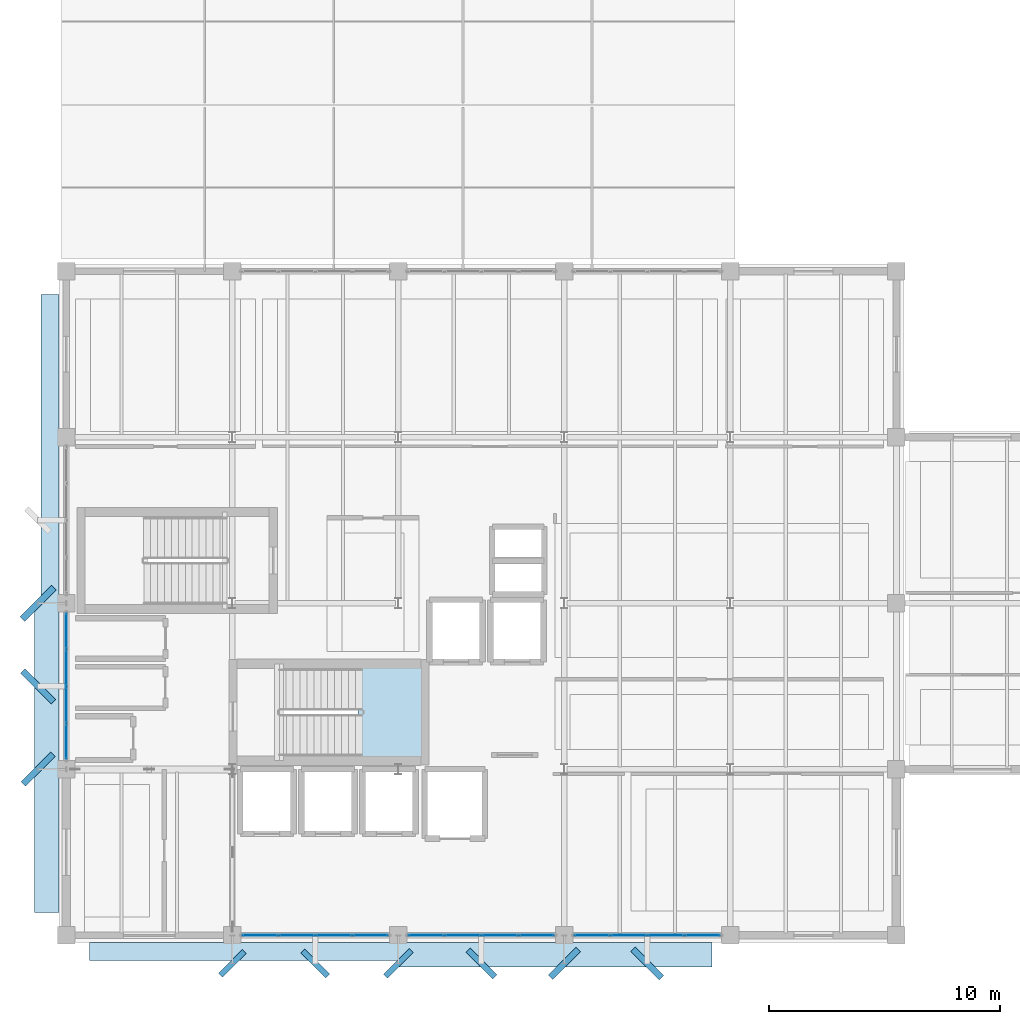
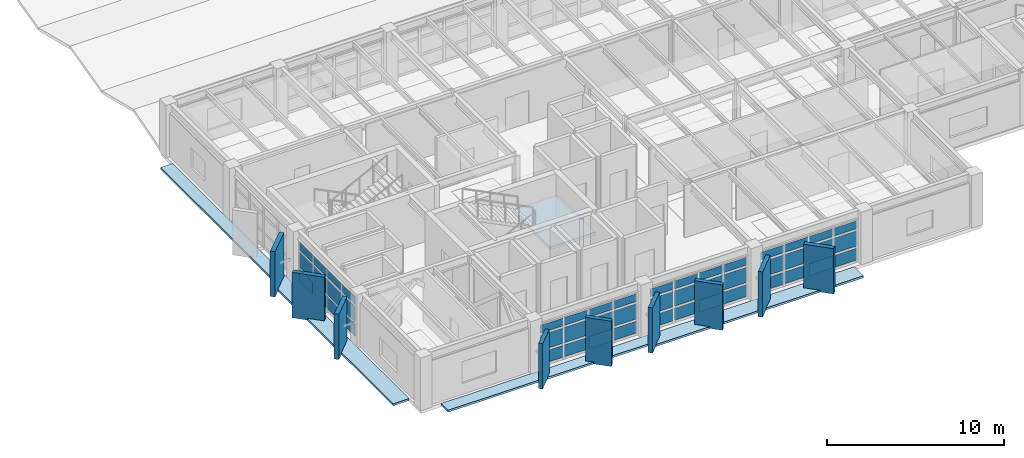
# One storey, part 26 of 48: 57 plates, 3 slabs, 5 elements without a shape of their own.
"""IFC4 building model written with IfcOpenShell, lengths in metres."""

from ifc_helpers import new_model, si_unit, direction, frame, origin, origin_2d, place, context, subcontext, project, spatial, polyline, rectangle, outline, extrude, material, layer, layer_set, type_object, element, aggregate, save


model = new_model("IFC4")

# Units and contexts
model_context = context("Model", 3, precision=1e-05, world=origin(), true_north=direction((0.0, 1.0)))
body_context = subcontext(model_context, "Body", "Model", "MODEL_VIEW")
ifc_project = project(units=[si_unit("LENGTHUNIT", "METRE"), si_unit("AREAUNIT", "SQUARE_METRE"), si_unit("VOLUMEUNIT", "CUBIC_METRE"), si_unit("PLANEANGLEUNIT", "RADIAN"), si_unit("MASSUNIT", "GRAM", prefix="KILO")], contexts=[model_context])

# Site, building, storey
site_placement = place(None, origin())
site = spatial("IfcSite", under=ifc_project, at=site_placement, CompositionType="ELEMENT")
building_placement = place(site_placement, origin())
building = spatial("IfcBuilding", under=site, at=building_placement, Name="Kandorven Conservatory and Botanical Research Centre", CompositionType="ELEMENT")
storey_placement = place(building_placement, frame((0.0, 0.0, 13.199951171875)))
storey = spatial("IfcBuildingStorey", under=building, at=storey_placement, Name="L03", CompositionType="ELEMENT", Elevation=13.199951171875)

# Curtain wall, plates
ifc_material_1 = material(Name="Bronze anodised thermally broken aluminium", Category="aluminium")
ifc_layer_1 = layer(ifc_material_1, 0.179931640625)
ifc_layer_set_1 = layer_set([ifc_layer_1], Name="Bronze anodised thermally broken aluminium")
curtain_wall_type = type_object("IfcCurtainWallType", Name="CW_Unitised", PredefinedType="USERDEFINED", material=ifc_layer_set_1)
curtain_wall_1_placement = place(storey_placement, origin())
curtain_wall_1 = element("IfcCurtainWall", 1, at=curtain_wall_1_placement, inside=storey, type_object=curtain_wall_type, Name="Tower laboratory curtain wall CW-TWR-S-L03-2", ObjectType="UNITISED GLAZING", PredefinedType="USERDEFINED")
ifc_material_2 = material(Name="Double-glazed solar-control low-E glass", Category="glass")
ifc_layer_2 = layer(ifc_material_2, 0.028076171875)
ifc_layer_set_2 = layer_set([ifc_layer_2], Name="Double-glazed solar-control low-E glass")
plate_type_1 = type_object("IfcPlateType", Name="CW_Panel", PredefinedType="CURTAIN_PANEL", material=ifc_layer_set_2)
plate_1_placement = place(storey_placement, frame((14.4013671875, 6.0, 0.14990234375), z_axis=(0.0, 0.0, 1.0), x_axis=(1.0, 0.0, 0.0)))
plate_1 = element("IfcPlate", 2, at=plate_1_placement, type_object=plate_type_1, Name="CW-01 panel 1.1", PredefinedType="CURTAIN_PANEL", context=body_context, shape_type="SweptSolid", body=[
    extrude(rectangle(XDim=1.492431640625, YDim=0.028076171875, at=origin_2d()), origin(), (0.0, 0.0, 1.0), 0.824951171875),
])
plate_2_placement = place(storey_placement, frame((14.4013671875, 6.0, 1.125), z_axis=(0.0, 0.0, 1.0), x_axis=(1.0, 0.0, 0.0)))
plate_2 = element("IfcPlate", 3, at=plate_2_placement, type_object=plate_type_1, Name="CW-01 panel 1.2", PredefinedType="CURTAIN_PANEL", context=body_context, shape_type="SweptSolid", body=[
    extrude(rectangle(XDim=1.492431640625, YDim=0.028076171875, at=origin_2d()), origin(), (0.0, 0.0, 1.0), 1.050048828125),
])
plate_3_placement = place(storey_placement, frame((14.4013671875, 6.0, 2.324951171875), z_axis=(0.0, 0.0, 1.0), x_axis=(1.0, 0.0, 0.0)))
plate_3 = element("IfcPlate", 4, at=plate_3_placement, type_object=plate_type_1, Name="CW-01 panel 1.3", PredefinedType="CURTAIN_PANEL", context=body_context, shape_type="SweptSolid", body=[
    extrude(rectangle(XDim=1.492431640625, YDim=0.028076171875, at=origin_2d()), origin(), (0.0, 0.0, 1.0), 0.5400390625),
])
plate_4_placement = place(storey_placement, frame((15.99365234375, 6.0, 0.14990234375), z_axis=(0.0, 0.0, 1.0), x_axis=(1.0, 0.0, 0.0)))
plate_4 = element("IfcPlate", 5, at=plate_4_placement, type_object=plate_type_1, Name="CW-01 panel 2.1", PredefinedType="CURTAIN_PANEL", context=body_context, shape_type="SweptSolid", body=[
    extrude(rectangle(XDim=1.532470703125, YDim=0.028076171875, at=origin_2d()), origin(), (0.0, 0.0, 1.0), 0.824951171875),
])
plate_5_placement = place(storey_placement, frame((15.99365234375, 6.0, 1.125), z_axis=(0.0, 0.0, 1.0), x_axis=(1.0, 0.0, 0.0)))
plate_5 = element("IfcPlate", 6, at=plate_5_placement, type_object=plate_type_1, Name="CW-01 panel 2.2", PredefinedType="CURTAIN_PANEL", context=body_context, shape_type="SweptSolid", body=[
    extrude(rectangle(XDim=1.532470703125, YDim=0.028076171875, at=origin_2d()), origin(), (0.0, 0.0, 1.0), 1.050048828125),
])
plate_6_placement = place(storey_placement, frame((15.99365234375, 6.0, 2.324951171875), z_axis=(0.0, 0.0, 1.0), x_axis=(1.0, 0.0, 0.0)))
plate_6 = element("IfcPlate", 7, at=plate_6_placement, type_object=plate_type_1, Name="CW-01 panel 2.3", PredefinedType="CURTAIN_PANEL", context=body_context, shape_type="SweptSolid", body=[
    extrude(rectangle(XDim=1.532470703125, YDim=0.028076171875, at=origin_2d()), origin(), (0.0, 0.0, 1.0), 0.5400390625),
])
plate_7_placement = place(storey_placement, frame((17.606201171875, 6.0, 0.14990234375), z_axis=(0.0, 0.0, 1.0), x_axis=(1.0, 0.0, 0.0)))
plate_7 = element("IfcPlate", 8, at=plate_7_placement, type_object=plate_type_1, Name="CW-01 panel 3.1", PredefinedType="CURTAIN_PANEL", context=body_context, shape_type="SweptSolid", body=[
    extrude(rectangle(XDim=1.532470703125, YDim=0.028076171875, at=origin_2d()), origin(), (0.0, 0.0, 1.0), 0.824951171875),
])
plate_8_placement = place(storey_placement, frame((17.606201171875, 6.0, 1.125), z_axis=(0.0, 0.0, 1.0), x_axis=(1.0, 0.0, 0.0)))
plate_8 = element("IfcPlate", 9, at=plate_8_placement, type_object=plate_type_1, Name="CW-01 panel 3.2", PredefinedType="CURTAIN_PANEL", context=body_context, shape_type="SweptSolid", body=[
    extrude(rectangle(XDim=1.532470703125, YDim=0.028076171875, at=origin_2d()), origin(), (0.0, 0.0, 1.0), 1.050048828125),
])
plate_9_placement = place(storey_placement, frame((17.606201171875, 6.0, 2.324951171875), z_axis=(0.0, 0.0, 1.0), x_axis=(1.0, 0.0, 0.0)))
plate_9 = element("IfcPlate", 10, at=plate_9_placement, type_object=plate_type_1, Name="CW-01 panel 3.3", PredefinedType="CURTAIN_PANEL", context=body_context, shape_type="SweptSolid", body=[
    extrude(rectangle(XDim=1.532470703125, YDim=0.028076171875, at=origin_2d()), origin(), (0.0, 0.0, 1.0), 0.5400390625),
])
plate_10_placement = place(storey_placement, frame((19.19873046875, 6.0, 0.14990234375), z_axis=(0.0, 0.0, 1.0), x_axis=(1.0, 0.0, 0.0)))
plate_10 = element("IfcPlate", 11, at=plate_10_placement, type_object=plate_type_1, Name="CW-01 panel 4.1", PredefinedType="CURTAIN_PANEL", context=body_context, shape_type="SweptSolid", body=[
    extrude(rectangle(XDim=1.492431640625, YDim=0.028076171875, at=origin_2d()), origin(), (0.0, 0.0, 1.0), 0.824951171875),
])
plate_11_placement = place(storey_placement, frame((19.19873046875, 6.0, 1.125), z_axis=(0.0, 0.0, 1.0), x_axis=(1.0, 0.0, 0.0)))
plate_11 = element("IfcPlate", 12, at=plate_11_placement, type_object=plate_type_1, Name="CW-01 panel 4.2", PredefinedType="CURTAIN_PANEL", context=body_context, shape_type="SweptSolid", body=[
    extrude(rectangle(XDim=1.492431640625, YDim=0.028076171875, at=origin_2d()), origin(), (0.0, 0.0, 1.0), 1.050048828125),
])
plate_12_placement = place(storey_placement, frame((19.19873046875, 6.0, 2.324951171875), z_axis=(0.0, 0.0, 1.0), x_axis=(1.0, 0.0, 0.0)))
plate_12 = element("IfcPlate", 13, at=plate_12_placement, type_object=plate_type_1, Name="CW-01 panel 4.3", PredefinedType="CURTAIN_PANEL", context=body_context, shape_type="SweptSolid", body=[
    extrude(rectangle(XDim=1.492431640625, YDim=0.028076171875, at=origin_2d()), origin(), (0.0, 0.0, 1.0), 0.5400390625),
])
aggregate(curtain_wall_1, [plate_1, plate_2, plate_3, plate_4, plate_5, plate_6, plate_7, plate_8, plate_9, plate_10, plate_11, plate_12])

curtain_wall_2_placement = place(storey_placement, origin())
curtain_wall_2 = element("IfcCurtainWall", 14, at=curtain_wall_2_placement, inside=storey, type_object=curtain_wall_type, Name="Tower laboratory curtain wall CW-TWR-S-L03-3", ObjectType="UNITISED GLAZING", PredefinedType="USERDEFINED")
plate_13_placement = place(storey_placement, frame((21.601318359375, 6.0, 0.14990234375), z_axis=(0.0, 0.0, 1.0), x_axis=(1.0, 0.0, 0.0)))
plate_13 = element("IfcPlate", 15, at=plate_13_placement, type_object=plate_type_1, Name="CW-01 panel 1.1", PredefinedType="CURTAIN_PANEL", context=body_context, shape_type="SweptSolid", body=[
    extrude(rectangle(XDim=1.492431640625, YDim=0.028076171875, at=origin_2d()), origin(), (0.0, 0.0, 1.0), 0.824951171875),
])
plate_14_placement = place(storey_placement, frame((21.601318359375, 6.0, 1.125), z_axis=(0.0, 0.0, 1.0), x_axis=(1.0, 0.0, 0.0)))
plate_14 = element("IfcPlate", 16, at=plate_14_placement, type_object=plate_type_1, Name="CW-01 panel 1.2", PredefinedType="CURTAIN_PANEL", context=body_context, shape_type="SweptSolid", body=[
    extrude(rectangle(XDim=1.492431640625, YDim=0.028076171875, at=origin_2d()), origin(), (0.0, 0.0, 1.0), 1.050048828125),
])
plate_15_placement = place(storey_placement, frame((21.601318359375, 6.0, 2.324951171875), z_axis=(0.0, 0.0, 1.0), x_axis=(1.0, 0.0, 0.0)))
plate_15 = element("IfcPlate", 17, at=plate_15_placement, type_object=plate_type_1, Name="CW-01 panel 1.3", PredefinedType="CURTAIN_PANEL", context=body_context, shape_type="SweptSolid", body=[
    extrude(rectangle(XDim=1.492431640625, YDim=0.028076171875, at=origin_2d()), origin(), (0.0, 0.0, 1.0), 0.5400390625),
])
plate_16_placement = place(storey_placement, frame((23.19384765625, 6.0, 0.14990234375), z_axis=(0.0, 0.0, 1.0), x_axis=(1.0, 0.0, 0.0)))
plate_16 = element("IfcPlate", 18, at=plate_16_placement, type_object=plate_type_1, Name="CW-01 panel 2.1", PredefinedType="CURTAIN_PANEL", context=body_context, shape_type="SweptSolid", body=[
    extrude(rectangle(XDim=1.532470703125, YDim=0.028076171875, at=origin_2d()), origin(), (0.0, 0.0, 1.0), 0.824951171875),
])
plate_17_placement = place(storey_placement, frame((23.19384765625, 6.0, 1.125), z_axis=(0.0, 0.0, 1.0), x_axis=(1.0, 0.0, 0.0)))
plate_17 = element("IfcPlate", 19, at=plate_17_placement, type_object=plate_type_1, Name="CW-01 panel 2.2", PredefinedType="CURTAIN_PANEL", context=body_context, shape_type="SweptSolid", body=[
    extrude(rectangle(XDim=1.532470703125, YDim=0.028076171875, at=origin_2d()), origin(), (0.0, 0.0, 1.0), 1.050048828125),
])
plate_18_placement = place(storey_placement, frame((23.19384765625, 6.0, 2.324951171875), z_axis=(0.0, 0.0, 1.0), x_axis=(1.0, 0.0, 0.0)))
plate_18 = element("IfcPlate", 20, at=plate_18_placement, type_object=plate_type_1, Name="CW-01 panel 2.3", PredefinedType="CURTAIN_PANEL", context=body_context, shape_type="SweptSolid", body=[
    extrude(rectangle(XDim=1.532470703125, YDim=0.028076171875, at=origin_2d()), origin(), (0.0, 0.0, 1.0), 0.5400390625),
])
plate_19_placement = place(storey_placement, frame((24.80615234375, 6.0, 0.14990234375), z_axis=(0.0, 0.0, 1.0), x_axis=(1.0, 0.0, 0.0)))
plate_19 = element("IfcPlate", 21, at=plate_19_placement, type_object=plate_type_1, Name="CW-01 panel 3.1", PredefinedType="CURTAIN_PANEL", context=body_context, shape_type="SweptSolid", body=[
    extrude(rectangle(XDim=1.532470703125, YDim=0.028076171875, at=origin_2d()), origin(), (0.0, 0.0, 1.0), 0.824951171875),
])
plate_20_placement = place(storey_placement, frame((24.80615234375, 6.0, 1.125), z_axis=(0.0, 0.0, 1.0), x_axis=(1.0, 0.0, 0.0)))
plate_20 = element("IfcPlate", 22, at=plate_20_placement, type_object=plate_type_1, Name="CW-01 panel 3.2", PredefinedType="CURTAIN_PANEL", context=body_context, shape_type="SweptSolid", body=[
    extrude(rectangle(XDim=1.532470703125, YDim=0.028076171875, at=origin_2d()), origin(), (0.0, 0.0, 1.0), 1.050048828125),
])
plate_21_placement = place(storey_placement, frame((24.80615234375, 6.0, 2.324951171875), z_axis=(0.0, 0.0, 1.0), x_axis=(1.0, 0.0, 0.0)))
plate_21 = element("IfcPlate", 23, at=plate_21_placement, type_object=plate_type_1, Name="CW-01 panel 3.3", PredefinedType="CURTAIN_PANEL", context=body_context, shape_type="SweptSolid", body=[
    extrude(rectangle(XDim=1.532470703125, YDim=0.028076171875, at=origin_2d()), origin(), (0.0, 0.0, 1.0), 0.5400390625),
])
plate_22_placement = place(storey_placement, frame((26.398681640625, 6.0, 0.14990234375), z_axis=(0.0, 0.0, 1.0), x_axis=(1.0, 0.0, 0.0)))
plate_22 = element("IfcPlate", 24, at=plate_22_placement, type_object=plate_type_1, Name="CW-01 panel 4.1", PredefinedType="CURTAIN_PANEL", context=body_context, shape_type="SweptSolid", body=[
    extrude(rectangle(XDim=1.492431640625, YDim=0.028076171875, at=origin_2d()), origin(), (0.0, 0.0, 1.0), 0.824951171875),
])
plate_23_placement = place(storey_placement, frame((26.398681640625, 6.0, 1.125), z_axis=(0.0, 0.0, 1.0), x_axis=(1.0, 0.0, 0.0)))
plate_23 = element("IfcPlate", 25, at=plate_23_placement, type_object=plate_type_1, Name="CW-01 panel 4.2", PredefinedType="CURTAIN_PANEL", context=body_context, shape_type="SweptSolid", body=[
    extrude(rectangle(XDim=1.492431640625, YDim=0.028076171875, at=origin_2d()), origin(), (0.0, 0.0, 1.0), 1.050048828125),
])
plate_24_placement = place(storey_placement, frame((26.398681640625, 6.0, 2.324951171875), z_axis=(0.0, 0.0, 1.0), x_axis=(1.0, 0.0, 0.0)))
plate_24 = element("IfcPlate", 26, at=plate_24_placement, type_object=plate_type_1, Name="CW-01 panel 4.3", PredefinedType="CURTAIN_PANEL", context=body_context, shape_type="SweptSolid", body=[
    extrude(rectangle(XDim=1.492431640625, YDim=0.028076171875, at=origin_2d()), origin(), (0.0, 0.0, 1.0), 0.5400390625),
])
aggregate(curtain_wall_2, [plate_13, plate_14, plate_15, plate_16, plate_17, plate_18, plate_19, plate_20, plate_21, plate_22, plate_23, plate_24])

curtain_wall_3_placement = place(storey_placement, origin())
curtain_wall_3 = element("IfcCurtainWall", 27, at=curtain_wall_3_placement, inside=storey, type_object=curtain_wall_type, Name="Tower laboratory curtain wall CW-TWR-S-L03-4", ObjectType="UNITISED GLAZING", PredefinedType="USERDEFINED")
plate_25_placement = place(storey_placement, frame((28.80126953125, 6.0, 0.14990234375), z_axis=(0.0, 0.0, 1.0), x_axis=(1.0, 0.0, 0.0)))
plate_25 = element("IfcPlate", 28, at=plate_25_placement, type_object=plate_type_1, Name="CW-01 panel 1.1", PredefinedType="CURTAIN_PANEL", context=body_context, shape_type="SweptSolid", body=[
    extrude(rectangle(XDim=1.492431640625, YDim=0.028076171875, at=origin_2d()), origin(), (0.0, 0.0, 1.0), 0.824951171875),
])
plate_26_placement = place(storey_placement, frame((28.80126953125, 6.0, 1.125), z_axis=(0.0, 0.0, 1.0), x_axis=(1.0, 0.0, 0.0)))
plate_26 = element("IfcPlate", 29, at=plate_26_placement, type_object=plate_type_1, Name="CW-01 panel 1.2", PredefinedType="CURTAIN_PANEL", context=body_context, shape_type="SweptSolid", body=[
    extrude(rectangle(XDim=1.492431640625, YDim=0.028076171875, at=origin_2d()), origin(), (0.0, 0.0, 1.0), 1.050048828125),
])
plate_27_placement = place(storey_placement, frame((28.80126953125, 6.0, 2.324951171875), z_axis=(0.0, 0.0, 1.0), x_axis=(1.0, 0.0, 0.0)))
plate_27 = element("IfcPlate", 30, at=plate_27_placement, type_object=plate_type_1, Name="CW-01 panel 1.3", PredefinedType="CURTAIN_PANEL", context=body_context, shape_type="SweptSolid", body=[
    extrude(rectangle(XDim=1.492431640625, YDim=0.028076171875, at=origin_2d()), origin(), (0.0, 0.0, 1.0), 0.5400390625),
])
plate_28_placement = place(storey_placement, frame((30.393798828125, 6.0, 0.14990234375), z_axis=(0.0, 0.0, 1.0), x_axis=(1.0, 0.0, 0.0)))
plate_28 = element("IfcPlate", 31, at=plate_28_placement, type_object=plate_type_1, Name="CW-01 panel 2.1", PredefinedType="CURTAIN_PANEL", context=body_context, shape_type="SweptSolid", body=[
    extrude(rectangle(XDim=1.532470703125, YDim=0.028076171875, at=origin_2d()), origin(), (0.0, 0.0, 1.0), 0.824951171875),
])
plate_29_placement = place(storey_placement, frame((30.393798828125, 6.0, 1.125), z_axis=(0.0, 0.0, 1.0), x_axis=(1.0, 0.0, 0.0)))
plate_29 = element("IfcPlate", 32, at=plate_29_placement, type_object=plate_type_1, Name="CW-01 panel 2.2", PredefinedType="CURTAIN_PANEL", context=body_context, shape_type="SweptSolid", body=[
    extrude(rectangle(XDim=1.532470703125, YDim=0.028076171875, at=origin_2d()), origin(), (0.0, 0.0, 1.0), 1.050048828125),
])
plate_30_placement = place(storey_placement, frame((30.393798828125, 6.0, 2.324951171875), z_axis=(0.0, 0.0, 1.0), x_axis=(1.0, 0.0, 0.0)))
plate_30 = element("IfcPlate", 33, at=plate_30_placement, type_object=plate_type_1, Name="CW-01 panel 2.3", PredefinedType="CURTAIN_PANEL", context=body_context, shape_type="SweptSolid", body=[
    extrude(rectangle(XDim=1.532470703125, YDim=0.028076171875, at=origin_2d()), origin(), (0.0, 0.0, 1.0), 0.5400390625),
])
plate_31_placement = place(storey_placement, frame((32.00634765625, 6.0, 0.14990234375), z_axis=(0.0, 0.0, 1.0), x_axis=(1.0, 0.0, 0.0)))
plate_31 = element("IfcPlate", 34, at=plate_31_placement, type_object=plate_type_1, Name="CW-01 panel 3.1", PredefinedType="CURTAIN_PANEL", context=body_context, shape_type="SweptSolid", body=[
    extrude(rectangle(XDim=1.532470703125, YDim=0.028076171875, at=origin_2d()), origin(), (0.0, 0.0, 1.0), 0.824951171875),
])
plate_32_placement = place(storey_placement, frame((32.00634765625, 6.0, 1.125), z_axis=(0.0, 0.0, 1.0), x_axis=(1.0, 0.0, 0.0)))
plate_32 = element("IfcPlate", 35, at=plate_32_placement, type_object=plate_type_1, Name="CW-01 panel 3.2", PredefinedType="CURTAIN_PANEL", context=body_context, shape_type="SweptSolid", body=[
    extrude(rectangle(XDim=1.532470703125, YDim=0.028076171875, at=origin_2d()), origin(), (0.0, 0.0, 1.0), 1.050048828125),
])
plate_33_placement = place(storey_placement, frame((32.00634765625, 6.0, 2.324951171875), z_axis=(0.0, 0.0, 1.0), x_axis=(1.0, 0.0, 0.0)))
plate_33 = element("IfcPlate", 36, at=plate_33_placement, type_object=plate_type_1, Name="CW-01 panel 3.3", PredefinedType="CURTAIN_PANEL", context=body_context, shape_type="SweptSolid", body=[
    extrude(rectangle(XDim=1.532470703125, YDim=0.028076171875, at=origin_2d()), origin(), (0.0, 0.0, 1.0), 0.5400390625),
])
plate_34_placement = place(storey_placement, frame((33.5986328125, 6.0, 0.14990234375), z_axis=(0.0, 0.0, 1.0), x_axis=(1.0, 0.0, 0.0)))
plate_34 = element("IfcPlate", 37, at=plate_34_placement, type_object=plate_type_1, Name="CW-01 panel 4.1", PredefinedType="CURTAIN_PANEL", context=body_context, shape_type="SweptSolid", body=[
    extrude(rectangle(XDim=1.492431640625, YDim=0.028076171875, at=origin_2d()), origin(), (0.0, 0.0, 1.0), 0.824951171875),
])
plate_35_placement = place(storey_placement, frame((33.5986328125, 6.0, 1.125), z_axis=(0.0, 0.0, 1.0), x_axis=(1.0, 0.0, 0.0)))
plate_35 = element("IfcPlate", 38, at=plate_35_placement, type_object=plate_type_1, Name="CW-01 panel 4.2", PredefinedType="CURTAIN_PANEL", context=body_context, shape_type="SweptSolid", body=[
    extrude(rectangle(XDim=1.492431640625, YDim=0.028076171875, at=origin_2d()), origin(), (0.0, 0.0, 1.0), 1.050048828125),
])
plate_36_placement = place(storey_placement, frame((33.5986328125, 6.0, 2.324951171875), z_axis=(0.0, 0.0, 1.0), x_axis=(1.0, 0.0, 0.0)))
plate_36 = element("IfcPlate", 39, at=plate_36_placement, type_object=plate_type_1, Name="CW-01 panel 4.3", PredefinedType="CURTAIN_PANEL", context=body_context, shape_type="SweptSolid", body=[
    extrude(rectangle(XDim=1.492431640625, YDim=0.028076171875, at=origin_2d()), origin(), (0.0, 0.0, 1.0), 0.5400390625),
])
aggregate(curtain_wall_3, [plate_25, plate_26, plate_27, plate_28, plate_29, plate_30, plate_31, plate_32, plate_33, plate_34, plate_35, plate_36])

curtain_wall_4_placement = place(storey_placement, origin())
curtain_wall_4 = element("IfcCurtainWall", 40, at=curtain_wall_4_placement, inside=storey, type_object=curtain_wall_type, Name="Tower laboratory curtain wall CW-TWR-W-L03-2", ObjectType="UNITISED GLAZING", PredefinedType="USERDEFINED")
plate_37_placement = place(storey_placement, frame((6.0, 14.4013671875, 0.14990234375), z_axis=(0.0, 0.0, 1.0), x_axis=(0.0, 1.0, 0.0)))
plate_37 = element("IfcPlate", 41, at=plate_37_placement, type_object=plate_type_1, Name="CW-01 panel 1.1", PredefinedType="CURTAIN_PANEL", context=body_context, shape_type="SweptSolid", body=[
    extrude(rectangle(XDim=1.492431640625, YDim=0.028076171875, at=origin_2d()), origin(), (0.0, 0.0, 1.0), 0.824951171875),
])
plate_38_placement = place(storey_placement, frame((6.0, 14.4013671875, 1.125), z_axis=(0.0, 0.0, 1.0), x_axis=(0.0, 1.0, 0.0)))
plate_38 = element("IfcPlate", 42, at=plate_38_placement, type_object=plate_type_1, Name="CW-01 panel 1.2", PredefinedType="CURTAIN_PANEL", context=body_context, shape_type="SweptSolid", body=[
    extrude(rectangle(XDim=1.492431640625, YDim=0.028076171875, at=origin_2d()), origin(), (0.0, 0.0, 1.0), 1.050048828125),
])
plate_39_placement = place(storey_placement, frame((6.0, 14.4013671875, 2.324951171875), z_axis=(0.0, 0.0, 1.0), x_axis=(0.0, 1.0, 0.0)))
plate_39 = element("IfcPlate", 43, at=plate_39_placement, type_object=plate_type_1, Name="CW-01 panel 1.3", PredefinedType="CURTAIN_PANEL", context=body_context, shape_type="SweptSolid", body=[
    extrude(rectangle(XDim=1.492431640625, YDim=0.028076171875, at=origin_2d()), origin(), (0.0, 0.0, 1.0), 0.5400390625),
])
plate_40_placement = place(storey_placement, frame((6.0, 15.99365234375, 0.14990234375), z_axis=(0.0, 0.0, 1.0), x_axis=(0.0, 1.0, 0.0)))
plate_40 = element("IfcPlate", 44, at=plate_40_placement, type_object=plate_type_1, Name="CW-01 panel 2.1", PredefinedType="CURTAIN_PANEL", context=body_context, shape_type="SweptSolid", body=[
    extrude(rectangle(XDim=1.532470703125, YDim=0.028076171875, at=origin_2d()), origin(), (0.0, 0.0, 1.0), 0.824951171875),
])
plate_41_placement = place(storey_placement, frame((6.0, 15.99365234375, 1.125), z_axis=(0.0, 0.0, 1.0), x_axis=(0.0, 1.0, 0.0)))
plate_41 = element("IfcPlate", 45, at=plate_41_placement, type_object=plate_type_1, Name="CW-01 panel 2.2", PredefinedType="CURTAIN_PANEL", context=body_context, shape_type="SweptSolid", body=[
    extrude(rectangle(XDim=1.532470703125, YDim=0.028076171875, at=origin_2d()), origin(), (0.0, 0.0, 1.0), 1.050048828125),
])
plate_42_placement = place(storey_placement, frame((6.0, 15.99365234375, 2.324951171875), z_axis=(0.0, 0.0, 1.0), x_axis=(0.0, 1.0, 0.0)))
plate_42 = element("IfcPlate", 46, at=plate_42_placement, type_object=plate_type_1, Name="CW-01 panel 2.3", PredefinedType="CURTAIN_PANEL", context=body_context, shape_type="SweptSolid", body=[
    extrude(rectangle(XDim=1.532470703125, YDim=0.028076171875, at=origin_2d()), origin(), (0.0, 0.0, 1.0), 0.5400390625),
])
plate_43_placement = place(storey_placement, frame((6.0, 17.606201171875, 0.14990234375), z_axis=(0.0, 0.0, 1.0), x_axis=(0.0, 1.0, 0.0)))
plate_43 = element("IfcPlate", 47, at=plate_43_placement, type_object=plate_type_1, Name="CW-01 panel 3.1", PredefinedType="CURTAIN_PANEL", context=body_context, shape_type="SweptSolid", body=[
    extrude(rectangle(XDim=1.532470703125, YDim=0.028076171875, at=origin_2d()), origin(), (0.0, 0.0, 1.0), 0.824951171875),
])
plate_44_placement = place(storey_placement, frame((6.0, 17.606201171875, 1.125), z_axis=(0.0, 0.0, 1.0), x_axis=(0.0, 1.0, 0.0)))
plate_44 = element("IfcPlate", 48, at=plate_44_placement, type_object=plate_type_1, Name="CW-01 panel 3.2", PredefinedType="CURTAIN_PANEL", context=body_context, shape_type="SweptSolid", body=[
    extrude(rectangle(XDim=1.532470703125, YDim=0.028076171875, at=origin_2d()), origin(), (0.0, 0.0, 1.0), 1.050048828125),
])
plate_45_placement = place(storey_placement, frame((6.0, 17.606201171875, 2.324951171875), z_axis=(0.0, 0.0, 1.0), x_axis=(0.0, 1.0, 0.0)))
plate_45 = element("IfcPlate", 49, at=plate_45_placement, type_object=plate_type_1, Name="CW-01 panel 3.3", PredefinedType="CURTAIN_PANEL", context=body_context, shape_type="SweptSolid", body=[
    extrude(rectangle(XDim=1.532470703125, YDim=0.028076171875, at=origin_2d()), origin(), (0.0, 0.0, 1.0), 0.5400390625),
])
plate_46_placement = place(storey_placement, frame((6.0, 19.19873046875, 0.14990234375), z_axis=(0.0, 0.0, 1.0), x_axis=(0.0, 1.0, 0.0)))
plate_46 = element("IfcPlate", 50, at=plate_46_placement, type_object=plate_type_1, Name="CW-01 panel 4.1", PredefinedType="CURTAIN_PANEL", context=body_context, shape_type="SweptSolid", body=[
    extrude(rectangle(XDim=1.492431640625, YDim=0.028076171875, at=origin_2d()), origin(), (0.0, 0.0, 1.0), 0.824951171875),
])
plate_47_placement = place(storey_placement, frame((6.0, 19.19873046875, 1.125), z_axis=(0.0, 0.0, 1.0), x_axis=(0.0, 1.0, 0.0)))
plate_47 = element("IfcPlate", 51, at=plate_47_placement, type_object=plate_type_1, Name="CW-01 panel 4.2", PredefinedType="CURTAIN_PANEL", context=body_context, shape_type="SweptSolid", body=[
    extrude(rectangle(XDim=1.492431640625, YDim=0.028076171875, at=origin_2d()), origin(), (0.0, 0.0, 1.0), 1.050048828125),
])
plate_48_placement = place(storey_placement, frame((6.0, 19.19873046875, 2.324951171875), z_axis=(0.0, 0.0, 1.0), x_axis=(0.0, 1.0, 0.0)))
plate_48 = element("IfcPlate", 52, at=plate_48_placement, type_object=plate_type_1, Name="CW-01 panel 4.3", PredefinedType="CURTAIN_PANEL", context=body_context, shape_type="SweptSolid", body=[
    extrude(rectangle(XDim=1.492431640625, YDim=0.028076171875, at=origin_2d()), origin(), (0.0, 0.0, 1.0), 0.5400390625),
])
aggregate(curtain_wall_4, [plate_37, plate_38, plate_39, plate_40, plate_41, plate_42, plate_43, plate_44, plate_45, plate_46, plate_47, plate_48])

# Plates
ifc_material_3 = material(Name="Precast concrete C40/50 (M50)", Category="concrete")
ifc_layer_3 = layer(ifc_material_3, 0.2451171875)
ifc_layer_set_3 = layer_set([ifc_layer_3], Name="Precast concrete C40/50 (M50)")
plate_type_2 = type_object("IfcPlateType", Name="Fin_BF-02", PredefinedType="USERDEFINED", material=ifc_layer_set_3)
plate_49_placement = place(storey_placement, frame((13.199951171875, 4.780029296875, -0.1201171875), z_axis=(0.0, 0.0, 1.0), x_axis=(0.707106781187, 0.707106781187, 0.0)))
element("IfcPlate", 53, at=plate_49_placement, inside=storey, type_object=plate_type_2, Name="Sculpted board-marked concrete brise-soleil fin BF-02", ObjectType="SOLAR FIN", PredefinedType="USERDEFINED", context=body_context, shape_type="SweptSolid", body=[
    extrude(rectangle(XDim=1.4599609375, YDim=0.2451171875, at=origin_2d()), origin(), (0.0, 0.0, 1.0), 3.135009765625),
])
ifc_material_4 = material(Name="Precast concrete C40/50 (M50)", Category="concrete")
ifc_layer_4 = layer(ifc_material_4, 0.25)
ifc_layer_set_4 = layer_set([ifc_layer_4], Name="Precast concrete C40/50 (M50)")
plate_type_3 = type_object("IfcPlateType", Name="Fin_BF-03", PredefinedType="USERDEFINED", material=ifc_layer_set_4)
plate_50_placement = place(storey_placement, frame((16.800048828125, 4.780029296875, -0.1201171875), z_axis=(0.0, 0.0, 1.0), x_axis=(-0.707106781187, 0.707106781187, 0.0)))
element("IfcPlate", 54, at=plate_50_placement, inside=storey, type_object=plate_type_3, Name="Sculpted board-marked concrete brise-soleil fin BF-03", ObjectType="SOLAR FIN", PredefinedType="USERDEFINED", context=body_context, shape_type="SweptSolid", body=[
    extrude(rectangle(XDim=1.52001953125, YDim=0.25, at=origin_2d()), origin(), (0.0, 0.0, 1.0), 3.135009765625),
])
ifc_material_5 = material(Name="Precast concrete C40/50 (M50)", Category="concrete")
ifc_layer_5 = layer(ifc_material_5, 0.2548828125)
ifc_layer_set_5 = layer_set([ifc_layer_5], Name="Precast concrete C40/50 (M50)")
plate_type_4 = type_object("IfcPlateType", Name="Fin_BF-04", PredefinedType="USERDEFINED", material=ifc_layer_set_5)
plate_51_placement = place(storey_placement, frame((20.39990234375, 4.780029296875, -0.1201171875), z_axis=(0.0, 0.0, 1.0), x_axis=(0.707106781187, 0.707106781187, 0.0)))
element("IfcPlate", 55, at=plate_51_placement, inside=storey, type_object=plate_type_4, Name="Sculpted board-marked concrete brise-soleil fin BF-04", ObjectType="SOLAR FIN", PredefinedType="USERDEFINED", context=body_context, shape_type="SweptSolid", body=[
    extrude(rectangle(XDim=1.580078125, YDim=0.2548828125, at=origin_2d()), origin(), (0.0, 0.0, 1.0), 3.135009765625),
])
ifc_material_6 = material(Name="Precast concrete C40/50 (M50)", Category="concrete")
ifc_layer_6 = layer(ifc_material_6, 0.260009765625)
ifc_layer_set_6 = layer_set([ifc_layer_6], Name="Precast concrete C40/50 (M50)")
plate_type_5 = type_object("IfcPlateType", Name="Fin_BF-05", PredefinedType="USERDEFINED", material=ifc_layer_set_6)
plate_52_placement = place(storey_placement, frame((24.0, 4.780029296875, -0.1201171875), z_axis=(0.0, 0.0, 1.0), x_axis=(-0.707106781187, 0.707106781187, 0.0)))
element("IfcPlate", 56, at=plate_52_placement, inside=storey, type_object=plate_type_5, Name="Sculpted board-marked concrete brise-soleil fin BF-05", ObjectType="SOLAR FIN", PredefinedType="USERDEFINED", context=body_context, shape_type="SweptSolid", body=[
    extrude(rectangle(XDim=1.639892578125, YDim=0.260009765625, at=origin_2d()), origin(), (0.0, 0.0, 1.0), 3.135009765625),
])
ifc_material_7 = material(Name="Precast concrete C40/50 (M50)", Category="concrete")
ifc_layer_7 = layer(ifc_material_7, 0.264892578125)
ifc_layer_set_7 = layer_set([ifc_layer_7], Name="Precast concrete C40/50 (M50)")
plate_type_6 = type_object("IfcPlateType", Name="Fin_BF-06", PredefinedType="USERDEFINED", material=ifc_layer_set_7)
plate_53_placement = place(storey_placement, frame((27.60009765625, 4.780029296875, -0.1201171875), z_axis=(0.0, 0.0, 1.0), x_axis=(0.707106781187, 0.707106781187, 0.0)))
element("IfcPlate", 57, at=plate_53_placement, inside=storey, type_object=plate_type_6, Name="Sculpted board-marked concrete brise-soleil fin BF-06", ObjectType="SOLAR FIN", PredefinedType="USERDEFINED", context=body_context, shape_type="SweptSolid", body=[
    extrude(rectangle(XDim=1.699951171875, YDim=0.264892578125, at=origin_2d()), origin(), (0.0, 0.0, 1.0), 3.135009765625),
])
ifc_material_8 = material(Name="Precast concrete C40/50 (M50)", Category="concrete")
ifc_layer_8 = layer(ifc_material_8, 0.27001953125)
ifc_layer_set_8 = layer_set([ifc_layer_8], Name="Precast concrete C40/50 (M50)")
plate_type_7 = type_object("IfcPlateType", Name="Fin_BF-07", PredefinedType="USERDEFINED", material=ifc_layer_set_8)
plate_54_placement = place(storey_placement, frame((31.199951171875, 4.780029296875, -0.1201171875), z_axis=(0.0, 0.0, 1.0), x_axis=(-0.707106781187, 0.707106781187, 0.0)))
element("IfcPlate", 58, at=plate_54_placement, inside=storey, type_object=plate_type_7, Name="Sculpted board-marked concrete brise-soleil fin BF-07", ObjectType="SOLAR FIN", PredefinedType="USERDEFINED", context=body_context, shape_type="SweptSolid", body=[
    extrude(rectangle(XDim=1.760009765625, YDim=0.27001953125, at=origin_2d()), origin(), (0.0, 0.0, 1.0), 3.135009765625),
])
ifc_material_9 = material(Name="Precast concrete C40/50 (M50)", Category="concrete")
ifc_layer_9 = layer(ifc_material_9, 0.27490234375)
ifc_layer_set_9 = layer_set([ifc_layer_9], Name="Precast concrete C40/50 (M50)")
plate_type_8 = type_object("IfcPlateType", Name="Fin_BF-08", PredefinedType="USERDEFINED", material=ifc_layer_set_9)
plate_55_placement = place(storey_placement, frame((4.780029296875, 13.199951171875, -0.1201171875), z_axis=(0.0, 0.0, 1.0), x_axis=(0.707106781187, 0.707106781187, 0.0)))
element("IfcPlate", 59, at=plate_55_placement, inside=storey, type_object=plate_type_8, Name="Sculpted board-marked concrete brise-soleil fin BF-08", ObjectType="SOLAR FIN", PredefinedType="USERDEFINED", context=body_context, shape_type="SweptSolid", body=[
    extrude(rectangle(XDim=1.820068359375, YDim=0.27490234375, at=origin_2d()), origin(), (0.0, 0.0, 1.0), 3.135009765625),
])
ifc_material_10 = material(Name="Precast concrete C40/50 (M50)", Category="concrete")
ifc_layer_10 = layer(ifc_material_10, 0.280029296875)
ifc_layer_set_10 = layer_set([ifc_layer_10], Name="Precast concrete C40/50 (M50)")
plate_type_9 = type_object("IfcPlateType", Name="Fin_BF-09", PredefinedType="USERDEFINED", material=ifc_layer_set_10)
plate_56_placement = place(storey_placement, frame((4.780029296875, 16.800048828125, -0.1201171875), z_axis=(0.0, 0.0, 1.0), x_axis=(-0.707106781187, 0.707106781187, 0.0)))
element("IfcPlate", 60, at=plate_56_placement, inside=storey, type_object=plate_type_9, Name="Sculpted board-marked concrete brise-soleil fin BF-09", ObjectType="SOLAR FIN", PredefinedType="USERDEFINED", context=body_context, shape_type="SweptSolid", body=[
    extrude(rectangle(XDim=1.8798828125, YDim=0.280029296875, at=origin_2d()), origin(), (0.0, 0.0, 1.0), 3.135009765625),
])
ifc_material_11 = material(Name="Precast concrete C40/50 (M50)", Category="concrete")
ifc_layer_11 = layer(ifc_material_11, 0.284912109375)
ifc_layer_set_11 = layer_set([ifc_layer_11], Name="Precast concrete C40/50 (M50)")
plate_type_10 = type_object("IfcPlateType", Name="Fin_BF-10", PredefinedType="USERDEFINED", material=ifc_layer_set_11)
plate_57_placement = place(storey_placement, frame((4.780029296875, 20.39990234375, -0.1201171875), z_axis=(0.0, 0.0, 1.0), x_axis=(0.707106781187, 0.707106781187, 0.0)))
element("IfcPlate", 61, at=plate_57_placement, inside=storey, type_object=plate_type_10, Name="Sculpted board-marked concrete brise-soleil fin BF-10", ObjectType="SOLAR FIN", PredefinedType="USERDEFINED", context=body_context, shape_type="SweptSolid", body=[
    extrude(rectangle(XDim=1.93994140625, YDim=0.284912109375, at=origin_2d()), origin(), (0.0, 0.0, 1.0), 3.135009765625),
])

# Slabs
ifc_material_12 = material(Name="Concrete C32/40 (M40)", Category="concrete")
ifc_layer_12 = layer(ifc_material_12, 0.139892578125)
ifc_layer_set_12 = layer_set([ifc_layer_12], Name="Concrete C32/40 (M40)")
slab_type_1 = type_object("IfcSlabType", Name="Slab_SL-16", PredefinedType="FLOOR", material=ifc_layer_set_12)
slab_1_placement = place(storey_placement, frame((0.0, 0.0, -0.139892578125)))
element("IfcSlab", 62, at=slab_1_placement, inside=storey, type_object=slab_type_1, Name="Tower south sculpted concrete solar-hood slab L03", PredefinedType="FLOOR", context=body_context, shape_type="SweptSolid", body=[
    extrude(outline(polyline([(7.0, 5.679931640625), (34.0, 5.679931640625), (34.0, 4.6298828125), (20.39990234375, 4.6298828125), (20.39990234375, 4.89990234375), (7.0, 4.89990234375), (7.0, 5.679931640625)])), origin(), (0.0, 0.0, 1.0), 0.139892578125),
])
slab_2_placement = place(storey_placement, frame((0.0, 0.0, -0.139892578125)))
element("IfcSlab", 63, at=slab_2_placement, inside=storey, type_object=slab_type_1, Name="Tower west sculpted concrete solar-hood slab L03", PredefinedType="FLOOR", context=body_context, shape_type="SweptSolid", body=[
    extrude(outline(polyline([(4.6298828125, 7.0), (5.679931640625, 7.0), (5.679931640625, 33.800048828125), (4.89990234375, 33.800048828125), (4.89990234375, 20.39990234375), (4.6298828125, 20.39990234375), (4.6298828125, 7.0)])), origin(), (0.0, 0.0, 1.0), 0.139892578125),
])

# Stair, slab
ifc_material_13 = material(Name="Concrete C32/40 (M40)", Category="concrete")
stair_type = type_object("IfcStairType", Name="Stair_1820", PredefinedType="HALF_TURN_STAIR", material=ifc_material_13)
stair_placement = place(storey_placement, origin())
stair = element("IfcStair", 64, at=stair_placement, inside=storey, type_object=stair_type, Name="L03 Tower Fire Stair ST-T1", PredefinedType="HALF_TURN_STAIR")
ifc_material_14 = material(Name="Concrete C32/40 (M40)", Category="concrete")
ifc_layer_13 = layer(ifc_material_14, 0.199951171875)
ifc_layer_set_13 = layer_set([ifc_layer_13], Name="Concrete C32/40 (M40)")
slab_type_2 = type_object("IfcSlabType", Name="StairLanding_200", PredefinedType="LANDING", material=ifc_layer_set_13)
slab_3_placement = place(storey_placement, frame((0.0, 0.0, 1.75)))
slab_3 = element("IfcSlab", 65, at=slab_3_placement, type_object=slab_type_2, Name="ST-T1 landing 1", PredefinedType="LANDING", context=body_context, shape_type="SweptSolid", body=[
    extrude(outline(polyline([(18.659423828125, 13.5400390625), (21.6201171875, 13.5400390625), (21.6201171875, 17.81005859375), (18.659423828125, 17.81005859375), (18.659423828125, 13.5400390625)])), origin(), (0.0, 0.0, 1.0), 0.199951171875),
])
aggregate(stair, [slab_3])

save(model, "model.ifc")
